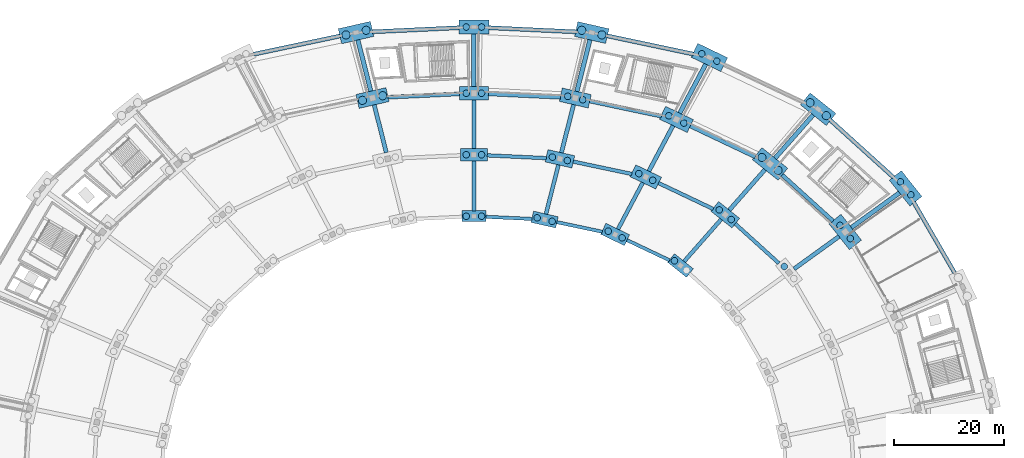
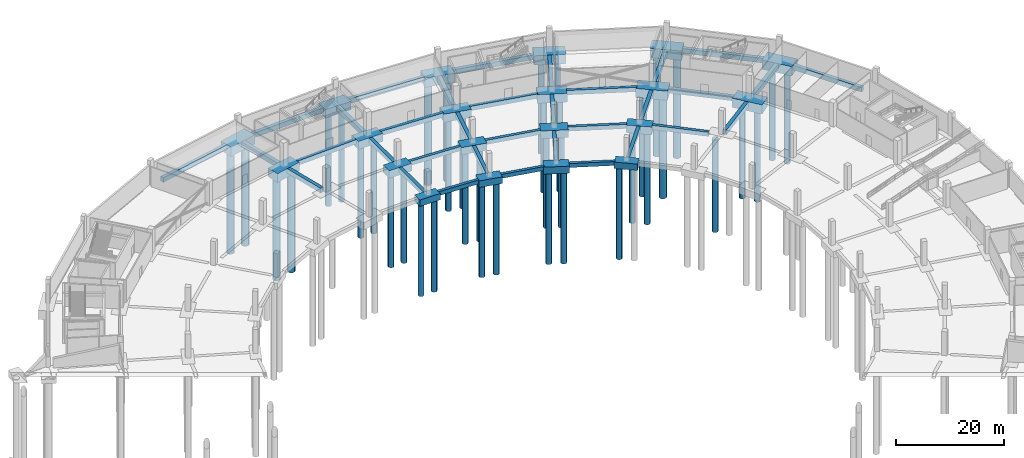
# One storey, part 6 of 49: 54 footings, 40 piles.
"""IFC4 building model written with IfcOpenShell, lengths in metres."""

import ifcopenshell
import ifcopenshell.guid

model = None  # the IFC model being written
_history = None  # IfcOwnerHistory: only IFC2X3 demands one
_inside = {}  # id of a spatial element -> (the spatial element, [elements in it])
_under = {}  # id of a project, library or spatial element -> (it, [spatial elements below it])
_declared = {}  # id of a project -> (the project, [libraries it declares])
_typed = {}  # id of a type object -> (the type object, [elements of that type])
_made_of = {}  # id of a material, layer set ... -> (it, [elements and type objects made of it])


def new_model(schema):
    """Start an empty IFC model of exactly this schema.

    Asked for "IFC4X3", IfcOpenShell would pick the latest addendum, in which some entities
    have other attributes; the version numbers below select the first issue.
    IFC2X3 requires an IfcOwnerHistory on every rooted entity: one is made here for all.
    """
    global model, _history
    if schema == "IFC4X3":
        model = ifcopenshell.file(schema_version=(4, 3, 0, 0))
    else:
        model = ifcopenshell.file(schema=schema)
    _inside.clear()
    _under.clear()
    _declared.clear()
    _typed.clear()
    _made_of.clear()
    _history = None
    if model.schema == "IFC2X3":
        org = make("IfcOrganization", Name="unknown")
        user = make(
            "IfcPersonAndOrganization",
            ThePerson=make("IfcPerson", FamilyName="unknown"),
            TheOrganization=org,
        )
        app = make(
            "IfcApplication",
            ApplicationDeveloper=org,
            Version="unknown",
            ApplicationFullName="unknown",
            ApplicationIdentifier="unknown",
        )
        _history = make(
            "IfcOwnerHistory",
            OwningUser=user,
            OwningApplication=app,
            ChangeAction="ADDED",
            CreationDate=0,
        )
    return model


def make(cls, **values):
    """One entity of the class cls with the attributes given. An attribute that is None is left unset."""
    return model.create_entity(
        cls, **{name: value for name, value in values.items() if value is not None}
    )


def rooted(cls, **values):
    """An entity with a GlobalId (a new one), such as an element, a storey or a relation."""
    return make(cls, GlobalId=ifcopenshell.guid.new(), OwnerHistory=_history, **values)


def si_unit(unit_type, name, prefix=None):
    """IfcSIUnit, for example si_unit("LENGTHUNIT", "METRE", prefix="MILLI")."""
    return make("IfcSIUnit", UnitType=unit_type, Prefix=prefix, Name=name)


def assignment(units):
    """IfcUnitAssignment: the units of a project."""
    return None if units is None else make("IfcUnitAssignment", Units=units)


def point(xyz):
    """IfcCartesianPoint."""
    return None if xyz is None else make("IfcCartesianPoint", Coordinates=xyz)


def direction(xyz):
    """IfcDirection."""
    return None if xyz is None else make("IfcDirection", DirectionRatios=xyz)


def frame(location, z_axis=None, x_axis=None):
    """IfcAxis2Placement3D, a coordinate frame: its origin and axes. An axis left out is left unset."""
    return make(
        "IfcAxis2Placement3D",
        Location=point(location),
        Axis=direction(z_axis),
        RefDirection=direction(x_axis),
    )


def frame_2d(location, x_axis=None):
    """IfcAxis2Placement2D, a coordinate frame in the plane: its origin and x axis."""
    return make(
        "IfcAxis2Placement2D", Location=point(location), RefDirection=direction(x_axis)
    )


def origin():
    """The frame at (0, 0, 0) with its axes left unset."""
    return frame((0.0, 0.0, 0.0))


def origin_2d():
    """The frame at (0, 0) in the plane with its x axis left unset."""
    return frame_2d((0.0, 0.0))


def place(relative_to, where):
    """IfcLocalPlacement: puts the frame where relative to a parent placement (None: the world)."""
    return make(
        "IfcLocalPlacement", PlacementRelTo=relative_to, RelativePlacement=where
    )


def context(
    kind, dimensions, precision=None, world=None, true_north=None, identifier=None
):
    """IfcGeometricRepresentationContext, for example the 3D "Model" context."""
    return make(
        "IfcGeometricRepresentationContext",
        ContextIdentifier=identifier,
        ContextType=kind,
        CoordinateSpaceDimension=dimensions,
        Precision=precision,
        WorldCoordinateSystem=world,
        TrueNorth=true_north,
    )


def subcontext(parent, identifier, kind, view, scale=None):
    """IfcGeometricRepresentationSubContext, for example "Body" below "Model"."""
    return make(
        "IfcGeometricRepresentationSubContext",
        ContextIdentifier=identifier,
        ContextType=kind,
        ParentContext=parent,
        TargetScale=scale,
        TargetView=view,
    )


def project(units=None, contexts=None):
    """IfcProject with its units and contexts."""
    return rooted(
        "IfcProject",
        Name="project",
        RepresentationContexts=contexts,
        UnitsInContext=assignment(units),
    )


def spatial(cls, under=None, at=None, **own):
    """A site, building, storey or space (cls), placed at a placement, below another one or the project."""
    s = rooted(cls, ObjectPlacement=at, **own)
    if under is not None:
        _under.setdefault(under.id(), (under, []))[1].append(s)
    return s


def profile(cls, at=None, kind="AREA", **sizes):
    """A parametric profile (cls). Its sizes go by their IFC names, for example OverallWidth=200.0."""
    return make(cls, ProfileType=kind, Position=at, **sizes)


def rectangle(**sizes):
    """IfcRectangleProfileDef."""
    return profile("IfcRectangleProfileDef", **sizes)


def circle(**sizes):
    """IfcCircleProfileDef."""
    return profile("IfcCircleProfileDef", **sizes)


def extrude(swept, where, along, depth):
    """IfcExtrudedAreaSolid: the profile swept, set in the frame where, extruded along a direction by depth."""
    return make(
        "IfcExtrudedAreaSolid",
        SweptArea=swept,
        Position=where,
        ExtrudedDirection=direction(along),
        Depth=depth,
    )


def shape(context_of_items, identifier, shape_type, items):
    """IfcShapeRepresentation: the items that make up one representation, for example the "Body"."""
    return make(
        "IfcShapeRepresentation",
        ContextOfItems=context_of_items,
        RepresentationIdentifier=identifier,
        RepresentationType=shape_type,
        Items=items,
    )


def material(Name=None, Category=None):
    """IfcMaterial."""
    return make("IfcMaterial", Name=Name, Category=Category)


def material_profile(
    of_material, cross_section, Name=None, Category=None, Priority=None
):
    """IfcMaterialProfile: a cross section and its material."""
    return make(
        "IfcMaterialProfile",
        Name=Name,
        Material=of_material,
        Profile=cross_section,
        Priority=Priority,
        Category=Category,
    )


def profile_set(profiles, Name=None, composite=None):
    """IfcMaterialProfileSet."""
    return make(
        "IfcMaterialProfileSet",
        Name=Name,
        MaterialProfiles=profiles,
        CompositeProfile=composite,
    )


def made_of(thing, what):
    """Note that an element or type object is made of a material, layer set ...; save() writes the relation."""
    if what is not None:
        _made_of.setdefault(what.id(), (what, []))[1].append(thing)
    return thing


def type_object(cls, material=None, **own):
    """A type object (cls), such as IfcWallType, which elements share."""
    return made_of(rooted(cls, **own), material)


def element(
    cls,
    number,
    at=None,
    inside=None,
    cuts=None,
    type_object=None,
    material=None,
    context=None,
    identifier="Body",
    shape_type=None,
    held_by="IfcProductDefinitionShape",
    body=None,
    shapes=None,
    **own,
):
    """One element of the class cls, such as IfcWall. Its Tag is "e" and its number.

    at: its placement. inside: the storey or other place that contains it. cuts: it is an
    opening in that element (IfcRelVoidsElement). A single representation is given by context,
    identifier, shape_type and body (its items); several are given by shapes. held_by: the class
    of the entity that holds the representations. save() writes the other relations.
    """
    e = rooted(cls, Tag="e%d" % number, ObjectPlacement=at, **own)
    if body is not None:
        shapes = [shape(context, identifier, shape_type, body)]
    if shapes is not None:
        e.Representation = make(held_by, Representations=shapes)
    if inside is not None:
        _inside.setdefault(inside.id(), (inside, []))[1].append(e)
    if cuts is not None:
        rooted(
            "IfcRelVoidsElement", RelatingBuildingElement=cuts, RelatedOpeningElement=e
        )
    if type_object is not None:
        _typed.setdefault(type_object.id(), (type_object, []))[1].append(e)
    return made_of(e, material)


def aggregate(whole, parts):
    """IfcRelAggregates: a whole, such as a stair, and the parts it consists of."""
    return rooted("IfcRelAggregates", RelatingObject=whole, RelatedObjects=parts)


def save(model, path):
    """Write the relations noted so far, then the file.

    IfcRelAggregates (storeys below a building ...), IfcRelContainedInSpatialStructure (elements
    in a storey), IfcRelDefinesByType, IfcRelAssociatesMaterial and IfcRelDeclares: one each for
    every whole, place, type object, material and project.
    """
    for whole, parts in _under.values():
        aggregate(whole, parts)
    for where, things in _inside.values():
        rooted(
            "IfcRelContainedInSpatialStructure",
            RelatedElements=things,
            RelatingStructure=where,
        )
    for kind, things in _typed.values():
        rooted("IfcRelDefinesByType", RelatedObjects=things, RelatingType=kind)
    for what, things in _made_of.values():
        rooted("IfcRelAssociatesMaterial", RelatedObjects=things, RelatingMaterial=what)
    for by, libraries in _declared.values():
        rooted("IfcRelDeclares", RelatingContext=by, RelatedDefinitions=libraries)
    model.write(path)


model = new_model("IFC4")

# Units and contexts
model_context = context("Model", 3, precision=1e-05, world=origin(), true_north=direction((0.0, 1.0)))
body_context = subcontext(model_context, "Body", "Model", "MODEL_VIEW")
ifc_project = project(units=[si_unit("LENGTHUNIT", "METRE"), si_unit("AREAUNIT", "SQUARE_METRE"), si_unit("VOLUMEUNIT", "CUBIC_METRE"), si_unit("PLANEANGLEUNIT", "RADIAN"), si_unit("MASSUNIT", "GRAM", prefix="KILO")], contexts=[model_context])

# Site, building, storey
site_placement = place(None, origin())
site = spatial("IfcSite", under=ifc_project, at=site_placement, CompositionType="ELEMENT")
building_placement = place(site_placement, origin())
building = spatial("IfcBuilding", under=site, at=building_placement, Name="Kazemori Nagisa Stadium", CompositionType="ELEMENT")
storey_placement = place(building_placement, frame((0.0, 0.0, -5.43994140625)))
storey = spatial("IfcBuildingStorey", under=building, at=storey_placement, Name="B1", CompositionType="ELEMENT", Elevation=-5.43994140625)

# Footings
ifc_material_1 = material(Name="Concrete C40/50 (Fc42)", Category="concrete")
ifc_material_profile_1 = material_profile(ifc_material_1, rectangle(XDim=0.60009765625, YDim=0.89990234375, at=origin_2d()), Name="RC-FB-600x900")
ifc_profile_set_1 = profile_set([ifc_material_profile_1], Name="Concrete C40/50 (Fc42)")
footing_type_1 = type_object("IfcFootingType", Name="FootingBeam_FB-01", PredefinedType="FOOTING_BEAM", material=ifc_profile_set_1)
footing_1_placement = place(storey_placement, frame((158.58984375, 145.571044921875, -0.449951171875), z_axis=(-0.903218555749, 0.429180894905, 0.0), x_axis=(-0.429180894905, -0.903218555749, 0.0)))
element("IfcFooting", 1, at=footing_1_placement, inside=storey, type_object=footing_type_1, Name="Footing tie beam FB-01 R0-05", PredefinedType="FOOTING_BEAM", context=body_context, shape_type="SweptSolid", body=[
    extrude(rectangle(XDim=0.60009765625, YDim=0.89990234375, at=origin_2d()), origin(), (0.0, 0.0, 1.0), 8.588623046875),
])
footing_2_placement = place(storey_placement, frame((146.3544921875, 150.771240234375, -0.449951171875), z_axis=(-0.978345765545, 0.206977204157, 0.0), x_axis=(-0.206977204157, -0.978345765545, 0.0)))
element("IfcFooting", 2, at=footing_2_placement, inside=storey, type_object=footing_type_1, Name="Footing tie beam FB-01 R0-06", PredefinedType="FOOTING_BEAM", context=body_context, shape_type="SweptSolid", body=[
    extrude(rectangle(XDim=0.60009765625, YDim=0.89990234375, at=origin_2d()), origin(), (0.0, 0.0, 1.0), 8.450439453125),
])
footing_3_placement = place(storey_placement, frame((133.5791015625, 153.099853515625, -0.449951171875), z_axis=(-0.998884235057, 0.047225892844, 0.0), x_axis=(-0.047225892844, -0.998884235057, 0.0)))
element("IfcFooting", 3, at=footing_3_placement, inside=storey, type_object=footing_type_1, Name="Footing tie beam FB-01 R0-07", PredefinedType="FOOTING_BEAM", context=body_context, shape_type="SweptSolid", body=[
    extrude(rectangle(XDim=0.60009765625, YDim=0.89990234375, at=origin_2d()), origin(), (0.0, 0.0, 1.0), 8.410888671875),
])
ifc_material_profile_2 = material_profile(ifc_material_1, rectangle(XDim=0.64990234375, YDim=0.949951171875, at=origin_2d()), Name="RC-FB-650x950")
ifc_profile_set_2 = profile_set([ifc_material_profile_2], Name="Concrete C40/50 (Fc42)")
footing_type_2 = type_object("IfcFootingType", Name="FootingBeam_FB-02", PredefinedType="FOOTING_BEAM", material=ifc_profile_set_2)
footing_4_placement = place(storey_placement, frame((178.463134765625, 145.03173828125, -0.47509765625), z_axis=(-0.741353255581, 0.671115005374, 0.0), x_axis=(-0.671115005374, -0.741353255581, 0.0)))
element("IfcFooting", 4, at=footing_4_placement, inside=storey, type_object=footing_type_2, Name="Footing tie beam FB-02 R1-04", PredefinedType="FOOTING_BEAM", context=body_context, shape_type="SweptSolid", body=[
    extrude(rectangle(XDim=0.64990234375, YDim=0.949951171875, at=origin_2d()), origin(), (0.0, 0.0, 1.0), 10.743896484375),
])
footing_5_placement = place(storey_placement, frame((166.501708984375, 154.916015625, -0.47509765625), z_axis=(-0.903219583699, 0.429178731559, 0.0), x_axis=(-0.429178731559, -0.903219583699, 0.0)))
element("IfcFooting", 5, at=footing_5_placement, inside=storey, type_object=footing_type_2, Name="Footing tie beam FB-02 R1-05", PredefinedType="FOOTING_BEAM", context=body_context, shape_type="SweptSolid", body=[
    extrude(rectangle(XDim=0.64990234375, YDim=0.949951171875, at=origin_2d()), origin(), (0.0, 0.0, 1.0), 10.987548828125),
])
footing_6_placement = place(storey_placement, frame((151.723388671875, 161.27294921875, -0.47509765625), z_axis=(-0.978344989236, 0.206980873599, 0.0), x_axis=(-0.206980873599, -0.978344989236, 0.0)))
element("IfcFooting", 6, at=footing_6_placement, inside=storey, type_object=footing_type_2, Name="Footing tie beam FB-02 R1-06", PredefinedType="FOOTING_BEAM", context=body_context, shape_type="SweptSolid", body=[
    extrude(rectangle(XDim=0.64990234375, YDim=0.949951171875, at=origin_2d()), origin(), (0.0, 0.0, 1.0), 10.890625),
])
footing_7_placement = place(storey_placement, frame((136.1650390625, 164.157470703125, -0.47509765625), z_axis=(-0.99888360217, 0.047239277261, 0.0), x_axis=(-0.047239277261, -0.99888360217, 0.0)))
element("IfcFooting", 7, at=footing_7_placement, inside=storey, type_object=footing_type_2, Name="Footing tie beam FB-02 R1-07", PredefinedType="FOOTING_BEAM", context=body_context, shape_type="SweptSolid", body=[
    extrude(rectangle(XDim=0.64990234375, YDim=0.949951171875, at=origin_2d()), origin(), (0.0, 0.0, 1.0), 10.749755859375),
])
ifc_material_profile_3 = material_profile(ifc_material_1, rectangle(XDim=0.699951171875, YDim=1.0, at=origin_2d()), Name="RC-FB-700x1000")
ifc_profile_set_3 = profile_set([ifc_material_profile_3], Name="Concrete C40/50 (Fc42)")
footing_type_3 = type_object("IfcFootingType", Name="FootingBeam_FB-03", PredefinedType="FOOTING_BEAM", material=ifc_profile_set_3)
footing_8_placement = place(storey_placement, frame((188.296875, 152.734130859375, -0.5), z_axis=(-0.741353641267, 0.671114579323, 0.0), x_axis=(-0.671114579323, -0.741353641267, 0.0)))
element("IfcFooting", 8, at=footing_8_placement, inside=storey, type_object=footing_type_3, Name="Footing tie beam FB-03 R2-04", PredefinedType="FOOTING_BEAM", context=body_context, shape_type="SweptSolid", body=[
    extrude(rectangle(XDim=0.699951171875, YDim=1.0, at=origin_2d()), origin(), (0.0, 0.0, 1.0), 12.481689453125),
])
footing_9_placement = place(storey_placement, frame((174.142578125, 164.3896484375, -0.5), z_axis=(-0.903213685764, 0.429191143722, 0.0), x_axis=(-0.429191143722, -0.903213685764, 0.0)))
element("IfcFooting", 9, at=footing_9_placement, inside=storey, type_object=footing_type_3, Name="Footing tie beam FB-03 R2-05", PredefinedType="FOOTING_BEAM", context=body_context, shape_type="SweptSolid", body=[
    extrude(rectangle(XDim=0.699951171875, YDim=1.0, at=origin_2d()), origin(), (0.0, 0.0, 1.0), 13.086181640625),
])
footing_10_placement = place(storey_placement, frame((157.09228515625, 171.774658203125, -0.5), z_axis=(-0.978345281718, 0.206979491108, 0.0), x_axis=(-0.206979491108, -0.978345281718, 0.0)))
element("IfcFooting", 10, at=footing_10_placement, inside=storey, type_object=footing_type_3, Name="Footing tie beam FB-03 R2-06", PredefinedType="FOOTING_BEAM", context=body_context, shape_type="SweptSolid", body=[
    extrude(rectangle(XDim=0.699951171875, YDim=1.0, at=origin_2d()), origin(), (0.0, 0.0, 1.0), 13.3310546875),
])
footing_11_placement = place(storey_placement, frame((138.750732421875, 175.21533203125, -0.5), z_axis=(-0.998884641355, 0.047217298366, 0.0), x_axis=(-0.047217298366, -0.998884641355, 0.0)))
element("IfcFooting", 11, at=footing_11_placement, inside=storey, type_object=footing_type_3, Name="Footing tie beam FB-03 R2-07", PredefinedType="FOOTING_BEAM", context=body_context, shape_type="SweptSolid", body=[
    extrude(rectangle(XDim=0.699951171875, YDim=1.0, at=origin_2d()), origin(), (0.0, 0.0, 1.0), 13.138427734375),
])
footing_12_placement = place(storey_placement, frame((120.373046875, 175.835693359375, -0.5), z_axis=(-0.998884346862, -0.047223527964, 0.0), x_axis=(0.047223527964, -0.998884346862, 0.0)))
element("IfcFooting", 12, at=footing_12_placement, inside=storey, type_object=footing_type_3, Name="Footing tie beam FB-03 R2-08", PredefinedType="FOOTING_BEAM", context=body_context, shape_type="SweptSolid", body=[
    extrude(rectangle(XDim=0.699951171875, YDim=1.0, at=origin_2d()), origin(), (0.0, 0.0, 1.0), 13.03857421875),
])
footing_13_placement = place(storey_placement, frame((161.20654296875, 145.370849609375, -0.5), z_axis=(0.66102446192, 0.750364351994, 0.0), x_axis=(-0.750364351994, 0.66102446192, 0.0)))
element("IfcFooting", 13, at=footing_13_placement, inside=storey, type_object=footing_type_3, Name="Footing tie beam FB-03 R0-R1-05", PredefinedType="FOOTING_BEAM", context=body_context, shape_type="SweptSolid", body=[
    extrude(rectangle(XDim=0.699951171875, YDim=1.0, at=origin_2d()), origin(), (0.0, 0.0, 1.0), 10.225830078125),
])
footing_14_placement = place(storey_placement, frame((149.18994140625, 151.23193359375, -0.5), z_axis=(0.469670822848, 0.88284161556, 0.0), x_axis=(-0.88284161556, 0.469670822848, 0.0)))
element("IfcFooting", 14, at=footing_14_placement, inside=storey, type_object=footing_type_3, Name="Footing tie beam FB-03 R0-R1-06", PredefinedType="FOOTING_BEAM", context=body_context, shape_type="SweptSolid", body=[
    extrude(rectangle(XDim=0.699951171875, YDim=1.0, at=origin_2d()), origin(), (0.0, 0.0, 1.0), 9.58837890625),
])
footing_15_placement = place(storey_placement, frame((136.1083984375, 153.99072265625, -0.5), z_axis=(0.244482297998, 0.969653755712, 0.0), x_axis=(-0.969653755712, 0.244482297998, 0.0)))
element("IfcFooting", 15, at=footing_15_placement, inside=storey, type_object=footing_type_3, Name="Footing tie beam FB-03 R0-R1-07", PredefinedType="FOOTING_BEAM", context=body_context, shape_type="SweptSolid", body=[
    extrude(rectangle(XDim=0.699951171875, YDim=1.0, at=origin_2d()), origin(), (0.0, 0.0, 1.0), 9.234130859375),
])
footing_16_placement = place(storey_placement, frame((123.0, 154.580078125, -0.5), z_axis=(0.0, 1.0, 0.0), x_axis=(-1.0, 0.0, 0.0)))
element("IfcFooting", 16, at=footing_16_placement, inside=storey, type_object=footing_type_3, Name="Footing tie beam FB-03 R0-R1-08", PredefinedType="FOOTING_BEAM", context=body_context, shape_type="SweptSolid", body=[
    extrude(rectangle(XDim=0.699951171875, YDim=1.0, at=origin_2d()), origin(), (0.0, 0.0, 1.0), 9.094970703125),
])
ifc_material_profile_4 = material_profile(ifc_material_1, rectangle(XDim=0.75, YDim=1.050048828125, at=origin_2d()), Name="RC-FB-750x1050")
ifc_profile_set_4 = profile_set([ifc_material_profile_4], Name="Concrete C40/50 (Fc42)")
footing_type_4 = type_object("IfcFootingType", Name="FootingBeam_FB-04", PredefinedType="FOOTING_BEAM", material=ifc_profile_set_4)
footing_17_placement = place(storey_placement, frame((210.39013671875, 143.32763671875, -0.525146484375), z_axis=(-0.501614806727, 0.865091085188, 0.0), x_axis=(-0.865091085188, -0.501614806727, 0.0)))
element("IfcFooting", 17, at=footing_17_placement, inside=storey, type_object=footing_type_4, Name="Footing tie beam FB-04 R3-03", PredefinedType="FOOTING_BEAM", context=body_context, shape_type="SweptSolid", body=[
    extrude(rectangle(XDim=0.75, YDim=1.050048828125, at=origin_2d()), origin(), (0.0, 0.0, 1.0), 14.752197265625),
])
footing_18_placement = place(storey_placement, frame((199.2861328125, 160.66748046875, -0.525146484375), z_axis=(-0.741348232984, 0.671120553591, 0.0), x_axis=(-0.671120553591, -0.741348232984, 0.0)))
element("IfcFooting", 18, at=footing_18_placement, inside=storey, type_object=footing_type_4, Name="Footing tie beam FB-04 R3-04", PredefinedType="FOOTING_BEAM", context=body_context, shape_type="SweptSolid", body=[
    extrude(rectangle(XDim=0.75, YDim=1.050048828125, at=origin_2d()), origin(), (0.0, 0.0, 1.0), 15.48388671875),
])
footing_19_placement = place(storey_placement, frame((162.88916015625, 183.0810546875, -0.525146484375), z_axis=(-0.978345838586, 0.206976858902, 0.0), x_axis=(-0.206976858902, -0.978345838586, 0.0)))
element("IfcFooting", 19, at=footing_19_placement, inside=storey, type_object=footing_type_4, Name="Footing tie beam FB-04 R3-06", PredefinedType="FOOTING_BEAM", context=body_context, shape_type="SweptSolid", body=[
    extrude(rectangle(XDim=0.75, YDim=1.050048828125, at=origin_2d()), origin(), (0.0, 0.0, 1.0), 15.989990234375),
])
footing_20_placement = place(storey_placement, frame((141.55078125, 187.122802734375, -0.525146484375), z_axis=(-0.998883739236, 0.04723637888, 0.0), x_axis=(-0.04723637888, -0.998883739236, 0.0)))
element("IfcFooting", 20, at=footing_20_placement, inside=storey, type_object=footing_type_4, Name="Footing tie beam FB-04 R3-07", PredefinedType="FOOTING_BEAM", context=body_context, shape_type="SweptSolid", body=[
    extrude(rectangle(XDim=0.75, YDim=1.050048828125, at=origin_2d()), origin(), (0.0, 0.0, 1.0), 15.84130859375),
])
footing_21_placement = place(storey_placement, frame((120.27294921875, 187.87109375, -0.525146484375), z_axis=(-0.998884221238, -0.047226185136, 0.0), x_axis=(0.047226185136, -0.998884221238, 0.0)))
element("IfcFooting", 21, at=footing_21_placement, inside=storey, type_object=footing_type_4, Name="Footing tie beam FB-04 R3-08", PredefinedType="FOOTING_BEAM", context=body_context, shape_type="SweptSolid", body=[
    extrude(rectangle(XDim=0.75, YDim=1.050048828125, at=origin_2d()), origin(), (0.0, 0.0, 1.0), 15.741455078125),
])
footing_22_placement = place(storey_placement, frame((98.65673828125, 186.3701171875, -0.525146484375), z_axis=(-0.978342746736, -0.206991473033, 0.0), x_axis=(0.206991473033, -0.978342746736, 0.0)))
element("IfcFooting", 22, at=footing_22_placement, inside=storey, type_object=footing_type_4, Name="Footing tie beam FB-04 R3-09", PredefinedType="FOOTING_BEAM", context=body_context, shape_type="SweptSolid", body=[
    extrude(rectangle(XDim=0.75, YDim=1.050048828125, at=origin_2d()), origin(), (0.0, 0.0, 1.0), 15.989990234375),
])
footing_23_placement = place(storey_placement, frame((181.2177734375, 144.02880859375, -0.525146484375), z_axis=(0.810794220664, 0.585331300836, 0.0), x_axis=(-0.585331300836, 0.810794220664, 0.0)))
element("IfcFooting", 23, at=footing_23_placement, inside=storey, type_object=footing_type_4, Name="Footing tie beam FB-04 R1-R2-04", PredefinedType="FOOTING_BEAM", context=body_context, shape_type="SweptSolid", body=[
    extrude(rectangle(XDim=0.75, YDim=1.050048828125, at=origin_2d()), origin(), (0.0, 0.0, 1.0), 10.075927734375),
])
footing_24_placement = place(storey_placement, frame((169.427001953125, 154.7021484375, -0.525146484375), z_axis=(0.661019884248, 0.750368384615, 0.0), x_axis=(-0.750368384615, 0.661019884248, 0.0)))
element("IfcFooting", 24, at=footing_24_placement, inside=storey, type_object=footing_type_4, Name="Footing tie beam FB-04 R1-R2-05", PredefinedType="FOOTING_BEAM", context=body_context, shape_type="SweptSolid", body=[
    extrude(rectangle(XDim=0.75, YDim=1.050048828125, at=origin_2d()), origin(), (0.0, 0.0, 1.0), 9.825927734375),
])
footing_25_placement = place(storey_placement, frame((154.8017578125, 161.78076171875, -0.525146484375), z_axis=(0.469653943971, 0.882850594898, 0.0), x_axis=(-0.882850594898, 0.469653943971, 0.0)))
element("IfcFooting", 25, at=footing_25_placement, inside=storey, type_object=footing_type_4, Name="Footing tie beam FB-04 R1-R2-06", PredefinedType="FOOTING_BEAM", context=body_context, shape_type="SweptSolid", body=[
    extrude(rectangle(XDim=0.75, YDim=1.050048828125, at=origin_2d()), origin(), (0.0, 0.0, 1.0), 9.38818359375),
])
footing_26_placement = place(storey_placement, frame((138.91845703125, 165.135986328125, -0.525146484375), z_axis=(0.244487229424, 0.96965251232, 0.0), x_axis=(-0.96965251232, 0.244487229424, 0.0)))
element("IfcFooting", 26, at=footing_26_placement, inside=storey, type_object=footing_type_4, Name="Footing tie beam FB-04 R1-R2-07", PredefinedType="FOOTING_BEAM", context=body_context, shape_type="SweptSolid", body=[
    extrude(rectangle(XDim=0.75, YDim=1.050048828125, at=origin_2d()), origin(), (0.0, 0.0, 1.0), 9.0341796875),
])
footing_27_placement = place(storey_placement, frame((123.0, 165.885009765625, -0.525146484375), z_axis=(0.0, 1.0, 0.0), x_axis=(-1.0, 0.0, 0.0)))
element("IfcFooting", 27, at=footing_27_placement, inside=storey, type_object=footing_type_4, Name="Footing tie beam FB-04 R1-R2-08", PredefinedType="FOOTING_BEAM", context=body_context, shape_type="SweptSolid", body=[
    extrude(rectangle(XDim=0.75, YDim=1.050048828125, at=origin_2d()), origin(), (0.0, 0.0, 1.0), 8.869873046875),
])
footing_28_placement = place(storey_placement, frame((107.0693359375, 165.1845703125, -0.525146484375), z_axis=(-0.244496256338, 0.969650236238, 0.0), x_axis=(-0.969650236238, -0.244496256338, 0.0)))
element("IfcFooting", 28, at=footing_28_placement, inside=storey, type_object=footing_type_4, Name="Footing tie beam FB-04 R1-R2-09", PredefinedType="FOOTING_BEAM", context=body_context, shape_type="SweptSolid", body=[
    extrude(rectangle(XDim=0.75, YDim=1.050048828125, at=origin_2d()), origin(), (0.0, 0.0, 1.0), 8.93408203125),
])
ifc_material_profile_5 = material_profile(ifc_material_1, rectangle(XDim=0.800048828125, YDim=1.10009765625, at=origin_2d()), Name="RC-FB-800x1100")
ifc_profile_set_5 = profile_set([ifc_material_profile_5], Name="Concrete C40/50 (Fc42)")
footing_type_5 = type_object("IfcFootingType", Name="FootingBeam_FB-05", PredefinedType="FOOTING_BEAM", material=ifc_profile_set_5)
footing_29_placement = place(storey_placement, frame((191.625, 151.5419921875, -0.550048828125), z_axis=(0.810794921926, 0.585330329454, 0.0), x_axis=(-0.585330329454, 0.810794921926, 0.0)))
element("IfcFooting", 29, at=footing_29_placement, inside=storey, type_object=footing_type_5, Name="Footing tie beam FB-05 R2-R3-04", PredefinedType="FOOTING_BEAM", context=body_context, shape_type="SweptSolid", body=[
    extrude(rectangle(XDim=0.800048828125, YDim=1.10009765625, at=origin_2d()), origin(), (0.0, 0.0, 1.0), 10.793701171875),
])
footing_30_placement = place(storey_placement, frame((177.74658203125, 164.146240234375, -0.550048828125), z_axis=(0.661018384003, 0.750369706218, 0.0), x_axis=(-0.750369706218, 0.661018384003, 0.0)))
element("IfcFooting", 30, at=footing_30_placement, inside=storey, type_object=footing_type_5, Name="Footing tie beam FB-05 R2-R3-05", PredefinedType="FOOTING_BEAM", context=body_context, shape_type="SweptSolid", body=[
    extrude(rectangle(XDim=0.800048828125, YDim=1.10009765625, at=origin_2d()), origin(), (0.0, 0.0, 1.0), 10.497802734375),
])
footing_31_placement = place(storey_placement, frame((160.413330078125, 172.329345703125, -0.550048828125), z_axis=(0.469639432071, 0.882858314705, 0.0), x_axis=(-0.882858314705, 0.469639432071, 0.0)))
element("IfcFooting", 31, at=footing_31_placement, inside=storey, type_object=footing_type_5, Name="Footing tie beam FB-05 R2-R3-06", PredefinedType="FOOTING_BEAM", context=body_context, shape_type="SweptSolid", body=[
    extrude(rectangle(XDim=0.800048828125, YDim=1.10009765625, at=origin_2d()), origin(), (0.0, 0.0, 1.0), 10.099609375),
])
footing_32_placement = place(storey_placement, frame((141.728515625, 176.28125, -0.550048828125), z_axis=(0.244480507321, 0.9696542072, 0.0), x_axis=(-0.9696542072, 0.244480507321, 0.0)))
element("IfcFooting", 32, at=footing_32_placement, inside=storey, type_object=footing_type_5, Name="Footing tie beam FB-05 R2-R3-07", PredefinedType="FOOTING_BEAM", context=body_context, shape_type="SweptSolid", body=[
    extrude(rectangle(XDim=0.800048828125, YDim=1.10009765625, at=origin_2d()), origin(), (0.0, 0.0, 1.0), 9.685546875),
])
footing_33_placement = place(storey_placement, frame((123.0, 177.1650390625, -0.550048828125), z_axis=(0.0, 1.0, 0.0), x_axis=(-1.0, 0.0, 0.0)))
element("IfcFooting", 33, at=footing_33_placement, inside=storey, type_object=footing_type_5, Name="Footing tie beam FB-05 R2-R3-08", PredefinedType="FOOTING_BEAM", context=body_context, shape_type="SweptSolid", body=[
    extrude(rectangle(XDim=0.800048828125, YDim=1.10009765625, at=origin_2d()), origin(), (0.0, 0.0, 1.0), 9.580078125),
])
footing_34_placement = place(storey_placement, frame((104.25927734375, 176.329833984375, -0.550048828125), z_axis=(-0.244483737293, 0.969653392816, 0.0), x_axis=(-0.969653392816, -0.244483737293, 0.0)))
element("IfcFooting", 34, at=footing_34_placement, inside=storey, type_object=footing_type_5, Name="Footing tie beam FB-05 R2-R3-09", PredefinedType="FOOTING_BEAM", context=body_context, shape_type="SweptSolid", body=[
    extrude(rectangle(XDim=0.800048828125, YDim=1.10009765625, at=origin_2d()), origin(), (0.0, 0.0, 1.0), 9.610595703125),
])
footing_type_6 = type_object("IfcFootingType", Name="PileCap_PC-01", PredefinedType="PILE_CAP", material=ifc_material_1)
footing_35_placement = place(storey_placement, frame((135.856689453125, 152.9921875, -1.5), z_axis=(0.0, 0.0, 1.0), x_axis=(-0.974927912182, 0.222520933954, 0.0)))
element("IfcFooting", 35, at=footing_35_placement, inside=storey, type_object=footing_type_6, Name="Pile cap PC-01 R0-07", PredefinedType="PILE_CAP", context=body_context, shape_type="SweptSolid", body=[
    extrude(rectangle(XDim=4.60009765625, YDim=2.10009765625, at=origin_2d()), origin(), (0.0, 0.0, 1.0), 1.5),
])
footing_type_7 = type_object("IfcFootingType", Name="PileCap_PC-02", PredefinedType="PILE_CAP", material=ifc_material_1)
footing_36_placement = place(storey_placement, frame((148.682861328125, 150.278564453125, -1.60009765625), z_axis=(0.0, 0.0, 1.0), x_axis=(-0.900968867905, 0.433883739113, 0.0)))
element("IfcFooting", 36, at=footing_36_placement, inside=storey, type_object=footing_type_7, Name="Pile cap PC-02 R0-06", PredefinedType="PILE_CAP", context=body_context, shape_type="SweptSolid", body=[
    extrude(rectangle(XDim=4.800048828125, YDim=2.199951171875, at=origin_2d()), origin(), (0.0, 0.0, 1.0), 1.60009765625),
])
footing_type_8 = type_object("IfcFootingType", Name="PileCap_PC-03", PredefinedType="PILE_CAP", material=ifc_material_1)
footing_37_placement = place(storey_placement, frame((138.64208984375, 164.040283203125, -1.64990234375), z_axis=(0.0, 0.0, 1.0), x_axis=(-0.974927912182, 0.222520933954, 0.0)))
element("IfcFooting", 37, at=footing_37_placement, inside=storey, type_object=footing_type_8, Name="Pile cap PC-03 R1-07", PredefinedType="PILE_CAP", context=body_context, shape_type="SweptSolid", body=[
    extrude(rectangle(XDim=5.0, YDim=2.300048828125, at=origin_2d()), origin(), (0.0, 0.0, 1.0), 1.64990234375),
])
footing_type_9 = type_object("IfcFootingType", Name="PileCap_PC-04", PredefinedType="PILE_CAP", material=ifc_material_1)
footing_38_placement = place(storey_placement, frame((154.24755859375, 160.739013671875, -1.75), z_axis=(0.0, 0.0, 1.0), x_axis=(-0.900968867905, 0.433883739113, 0.0)))
element("IfcFooting", 38, at=footing_38_placement, inside=storey, type_object=footing_type_9, Name="Pile cap PC-04 R1-06", PredefinedType="PILE_CAP", context=body_context, shape_type="SweptSolid", body=[
    extrude(rectangle(XDim=5.199951171875, YDim=2.39990234375, at=origin_2d()), origin(), (0.0, 0.0, 1.0), 1.75),
])
footing_type_10 = type_object("IfcFootingType", Name="PileCap_PC-05", PredefinedType="PILE_CAP", material=ifc_material_1)
footing_39_placement = place(storey_placement, frame((141.427734375, 175.088623046875, -1.85009765625), z_axis=(0.0, 0.0, 1.0), x_axis=(-0.974927912182, 0.222520933954, 0.0)))
element("IfcFooting", 39, at=footing_39_placement, inside=storey, type_object=footing_type_10, Name="Pile cap PC-05 R2-07", PredefinedType="PILE_CAP", context=body_context, shape_type="SweptSolid", body=[
    extrude(rectangle(XDim=5.39990234375, YDim=2.5, at=origin_2d()), origin(), (0.0, 0.0, 1.0), 1.85009765625),
])
footing_type_11 = type_object("IfcFootingType", Name="PileCap_PC-06", PredefinedType="PILE_CAP", material=ifc_material_1)
for number, where, z_axis, x_axis, name in (
    (40, (159.81201171875, 171.19921875, -1.9501953125), (0.0, 0.0, 1.0), (-0.900968867905, 0.433883739113, 0.0), "Pile cap PC-06 R2-06"),
    (41, (104.572265625, 175.088623046875, -1.9501953125), (0.0, 0.0, 1.0), (-0.974927912182, -0.222520933954, 0.0), "Pile cap PC-06 R2-09"),
):
    element("IfcFooting", number, at=place(storey_placement, frame(where, z_axis=z_axis, x_axis=x_axis)), inside=storey, type_object=footing_type_11, Name=name, PredefinedType="PILE_CAP", context=body_context, shape_type="SweptSolid", body=[
        extrude(rectangle(XDim=5.60009765625, YDim=2.60009765625, at=origin_2d()), origin(), (0.0, 0.0, 1.0), 1.949951171875),
    ])
footing_type_12 = type_object("IfcFootingType", Name="PileCap_PC-07", PredefinedType="PILE_CAP", material=ifc_material_1)
footing_40_placement = place(storey_placement, frame((144.427734375, 186.98681640625, -2.05029296875), z_axis=(0.0, 0.0, 1.0), x_axis=(-0.974927912182, 0.222520933954, 0.0)))
element("IfcFooting", 42, at=footing_40_placement, inside=storey, type_object=footing_type_12, Name="Pile cap PC-07 R3-07", PredefinedType="PILE_CAP", context=body_context, shape_type="SweptSolid", body=[
    extrude(rectangle(XDim=5.800048828125, YDim=2.75, at=origin_2d()), origin(), (0.0, 0.0, 1.0), 2.050048828125),
])
footing_type_13 = type_object("IfcFootingType", Name="PileCap_PC-08", PredefinedType="PILE_CAP", material=ifc_material_1)
for number, where, z_axis, x_axis, name in (
    (43, (160.558837890625, 144.635498046875, -1.4501953125), (0.0, 0.0, 1.0), (-0.781831482473, 0.623489801853, 0.0), "Pile cap PC-08 R0-05"),
    (44, (123.0, 153.60009765625, -1.4501953125), (0.0, 0.0, 1.0), (-1.0, 0.0, 0.0), "Pile cap PC-08 R0-08"),
):
    element("IfcFooting", number, at=place(storey_placement, frame(where, z_axis=z_axis, x_axis=x_axis)), inside=storey, type_object=footing_type_13, Name=name, PredefinedType="PILE_CAP", context=body_context, shape_type="SweptSolid", body=[
        extrude(rectangle(XDim=4.39990234375, YDim=2.0, at=origin_2d()), origin(), (0.0, 0.0, 1.0), 1.449951171875),
    ])
footing_type_14 = type_object("IfcFootingType", Name="PileCap_PC-09", PredefinedType="PILE_CAP", material=ifc_material_1)
for number, where, z_axis, x_axis, name in (
    (45, (168.696533203125, 153.873046875, -1.7001953125), (0.0, 0.0, 1.0), (-0.781831482473, 0.623489801853, 0.0), "Pile cap PC-09 R1-05"),
    (46, (123.0, 164.780029296875, -1.7001953125), (0.0, 0.0, 1.0), (-1.0, 0.0, 0.0), "Pile cap PC-09 R1-08"),
):
    element("IfcFooting", number, at=place(storey_placement, frame(where, z_axis=z_axis, x_axis=x_axis)), inside=storey, type_object=footing_type_14, Name=name, PredefinedType="PILE_CAP", context=body_context, shape_type="SweptSolid", body=[
        extrude(rectangle(XDim=4.89990234375, YDim=2.25, at=origin_2d()), origin(), (0.0, 0.0, 1.0), 1.699951171875),
    ])
footing_type_15 = type_object("IfcFootingType", Name="PileCap_PC-10", PredefinedType="PILE_CAP", material=ifc_material_1)
footing_41_placement = place(storey_placement, frame((123.0, 175.9599609375, -1.80029296875), z_axis=(0.0, 0.0, 1.0), x_axis=(-1.0, 0.0, 0.0)))
element("IfcFooting", 47, at=footing_41_placement, inside=storey, type_object=footing_type_15, Name="Pile cap PC-10 R2-08", PredefinedType="PILE_CAP", context=body_context, shape_type="SweptSolid", body=[
    extrude(rectangle(XDim=5.300048828125, YDim=2.449951171875, at=origin_2d()), origin(), (0.0, 0.0, 1.0), 1.800048828125),
])
footing_type_16 = type_object("IfcFootingType", Name="PileCap_PC-11", PredefinedType="PILE_CAP", material=ifc_material_1)
footing_42_placement = place(storey_placement, frame((123.0, 188.0, -1.89990234375), z_axis=(0.0, 0.0, 1.0), x_axis=(-1.0, 0.0, 0.0)))
element("IfcFooting", 48, at=footing_42_placement, inside=storey, type_object=footing_type_16, Name="Pile cap PC-11 R3-08", PredefinedType="PILE_CAP", context=body_context, shape_type="SweptSolid", body=[
    extrude(rectangle(XDim=5.5, YDim=2.550048828125, at=origin_2d()), origin(), (0.0, 0.0, 1.0), 1.89990234375),
])
footing_type_17 = type_object("IfcFootingType", Name="PileCap_PC-12", PredefinedType="PILE_CAP", material=ifc_material_1)
for number, where, z_axis, x_axis, name in (
    (49, (190.506103515625, 150.734130859375, -2.10009765625), (0.0, 0.0, 1.0), (-0.623489801853, 0.781831482473, 0.0), "Pile cap PC-12 R2-04"),
    (50, (176.834228515625, 163.11083984375, -2.10009765625), (0.0, 0.0, 1.0), (-0.781831482473, 0.623489801853, 0.0), "Pile cap PC-12 R2-05"),
    (51, (201.495361328125, 158.667724609375, -2.10009765625), (0.0, 0.0, 1.0), (-0.623489801853, 0.781831482473, 0.0), "Pile cap PC-12 R3-04"),
    (52, (185.597900390625, 173.05908203125, -2.10009765625), (0.0, 0.0, 1.0), (-0.781831482473, 0.623489801853, 0.0), "Pile cap PC-12 R3-05"),
    (53, (165.8046875, 182.46435546875, -2.10009765625), (0.0, 0.0, 1.0), (-0.900968867905, 0.433883739113, 0.0), "Pile cap PC-12 R3-06"),
    (54, (101.572265625, 186.98681640625, -2.10009765625), (0.0, 0.0, 1.0), (-0.974927912182, -0.222520933954, 0.0), "Pile cap PC-12 R3-09"),
):
    element("IfcFooting", number, at=place(storey_placement, frame(where, z_axis=z_axis, x_axis=x_axis)), inside=storey, type_object=footing_type_17, Name=name, PredefinedType="PILE_CAP", context=body_context, shape_type="SweptSolid", body=[
        extrude(rectangle(XDim=6.0, YDim=2.800048828125, at=origin_2d()), origin(), (0.0, 0.0, 1.0), 2.10009765625),
    ])

# Piles
ifc_material_2 = material(Name="Concrete C36/45 (Fc36)", Category="concrete")
ifc_material_profile_6 = material_profile(ifc_material_2, circle(Radius=0.60009765625, at=origin_2d()), Name="PILE-D1200")
ifc_profile_set_6 = profile_set([ifc_material_profile_6], Name="Concrete C36/45 (Fc36)")
pile_type_1 = type_object("IfcPileType", Name="Pile_PL-1200", PredefinedType="BORED", material=ifc_profile_set_6)
for number, where, z_axis, x_axis, name in (
    (55, (159.464111328125, 145.50830078125, -1.35009765625), (0.0, 0.0, -1.0), (1.0, 0.0, 0.0), "Bored pile PL-1200 R0-05-2"),
    (56, (149.944091796875, 149.671142578125, -1.5), (0.0, 0.0, -1.0), (1.0, 0.0, 0.0), "Bored pile PL-1200 R0-06-1"),
    (57, (147.42138671875, 150.885986328125, -1.5), (0.0, 0.0, -1.0), (1.0, 0.0, 0.0), "Bored pile PL-1200 R0-06-2"),
    (58, (137.221435546875, 152.6806640625, -1.400146484375), (0.0, 0.0, -1.0), (1.0, 0.0, 0.0), "Bored pile PL-1200 R0-07-1"),
    (59, (134.49169921875, 153.3037109375, -1.400146484375), (0.0, 0.0, -1.0), (1.0, 0.0, 0.0), "Bored pile PL-1200 R0-07-2"),
    (60, (124.39990234375, 153.60009765625, -1.35009765625), (0.0, 0.0, -1.0), (1.0, 0.0, 0.0), "Bored pile PL-1200 R0-08-1"),
    (61, (121.60009765625, 153.60009765625, -1.35009765625), (0.0, 0.0, -1.0), (1.0, 0.0, 0.0), "Bored pile PL-1200 R0-08-2"),
    (62, (179.4287109375, 144.4619140625, -1.550048828125), (0.0, 0.0, -1.0), (1.0, 0.0, 0.0), "Bored pile PL-1200 R1-04-2"),
    (63, (169.791015625, 153.000244140625, -1.60009765625), (0.0, 0.0, -1.0), (1.0, 0.0, 0.0), "Bored pile PL-1200 R1-05-1"),
    (64, (167.60205078125, 154.745849609375, -1.60009765625), (0.0, 0.0, -1.0), (1.0, 0.0, 0.0), "Bored pile PL-1200 R1-05-2"),
    (65, (155.5087890625, 160.13134765625, -1.650146484375), (0.0, 0.0, -1.0), (1.0, 0.0, 0.0), "Bored pile PL-1200 R1-06-1"),
    (66, (152.986083984375, 161.346435546875, -1.650146484375), (0.0, 0.0, -1.0), (1.0, 0.0, 0.0), "Bored pile PL-1200 R1-06-2"),
    (67, (140.007080078125, 163.728759765625, -1.550048828125), (0.0, 0.0, -1.0), (1.0, 0.0, 0.0), "Bored pile PL-1200 R1-07-1"),
    (68, (137.27734375, 164.351806640625, -1.550048828125), (0.0, 0.0, -1.0), (1.0, 0.0, 0.0), "Bored pile PL-1200 R1-07-2"),
    (69, (124.39990234375, 164.780029296875, -1.60009765625), (0.0, 0.0, -1.0), (1.0, 0.0, 0.0), "Bored pile PL-1200 R1-08-1"),
    (70, (121.60009765625, 164.780029296875, -1.60009765625), (0.0, 0.0, -1.0), (1.0, 0.0, 0.0), "Bored pile PL-1200 R1-08-2"),
    (71, (191.45361328125, 149.5458984375, -2.0), (0.0, 0.0, -1.0), (1.0, 0.0, 0.0), "Bored pile PL-1200 R2-04-1"),
    (72, (189.558349609375, 151.922607421875, -2.0), (0.0, 0.0, -1.0), (1.0, 0.0, 0.0), "Bored pile PL-1200 R2-04-2"),
    (73, (161.181640625, 170.539794921875, -1.85009765625), (0.0, 0.0, -1.0), (1.0, 0.0, 0.0), "Bored pile PL-1200 R2-06-1"),
    (74, (158.442626953125, 171.858642578125, -1.85009765625), (0.0, 0.0, -1.0), (1.0, 0.0, 0.0), "Bored pile PL-1200 R2-06-2"),
    (75, (142.792724609375, 174.777099609375, -1.75), (0.0, 0.0, -1.0), (1.0, 0.0, 0.0), "Bored pile PL-1200 R2-07-1"),
    (76, (140.06298828125, 175.400146484375, -1.75), (0.0, 0.0, -1.0), (1.0, 0.0, 0.0), "Bored pile PL-1200 R2-07-2"),
    (77, (124.39990234375, 175.9599609375, -1.699951171875), (0.0, 0.0, -1.0), (1.0, 0.0, 0.0), "Bored pile PL-1200 R2-08-1"),
    (78, (121.60009765625, 175.9599609375, -1.699951171875), (0.0, 0.0, -1.0), (1.0, 0.0, 0.0), "Bored pile PL-1200 R2-08-2"),
    (79, (202.443115234375, 157.479248046875, -2.0), (0.0, 0.0, -1.0), (1.0, 0.0, 0.0), "Bored pile PL-1200 R3-04-1"),
    (80, (200.547607421875, 159.85595703125, -2.0), (0.0, 0.0, -1.0), (1.0, 0.0, 0.0), "Bored pile PL-1200 R3-04-2"),
    (81, (167.17431640625, 181.8046875, -2.0), (0.0, 0.0, -1.0), (1.0, 0.0, 0.0), "Bored pile PL-1200 R3-06-1"),
    (82, (164.435302734375, 183.123779296875, -2.0), (0.0, 0.0, -1.0), (1.0, 0.0, 0.0), "Bored pile PL-1200 R3-06-2"),
    (83, (124.39990234375, 188.0, -1.800048828125), (0.0, 0.0, -1.0), (1.0, 0.0, 0.0), "Bored pile PL-1200 R3-08-1"),
    (84, (121.60009765625, 188.0, -1.800048828125), (0.0, 0.0, -1.0), (1.0, 0.0, 0.0), "Bored pile PL-1200 R3-08-2"),
):
    element("IfcPile", number, at=place(storey_placement, frame(where, z_axis=z_axis, x_axis=x_axis)), inside=storey, type_object=pile_type_1, Name=name, PredefinedType="BORED", context=body_context, shape_type="SweptSolid", body=[
        extrude(circle(Radius=0.60009765625, at=origin_2d()), origin(), (0.0, 0.0, 1.0), 21.0),
    ])
ifc_material_profile_7 = material_profile(ifc_material_2, circle(Radius=0.75, at=origin_2d()), Name="PILE-D1500")
ifc_profile_set_7 = profile_set([ifc_material_profile_7], Name="Concrete C36/45 (Fc36)")
pile_type_2 = type_object("IfcPileType", Name="Pile_PL-1500", PredefinedType="BORED", material=ifc_profile_set_7)
for number, where, z_axis, x_axis, name in (
    (85, (178.30419921875, 161.9384765625, -2.0), (0.0, 0.0, -1.0), (1.0, 0.0, 0.0), "Bored pile PL-1500 R2-05-1"),
    (86, (175.364501953125, 164.282958984375, -2.0), (0.0, 0.0, -1.0), (1.0, 0.0, 0.0), "Bored pile PL-1500 R2-05-2"),
    (87, (106.405029296875, 175.507080078125, -1.85009765625), (0.0, 0.0, -1.0), (1.0, 0.0, 0.0), "Bored pile PL-1500 R2-09-1"),
    (88, (102.7392578125, 174.67041015625, -1.85009765625), (0.0, 0.0, -1.0), (1.0, 0.0, 0.0), "Bored pile PL-1500 R2-09-2"),
    (89, (187.06787109375, 171.88671875, -2.0), (0.0, 0.0, -1.0), (1.0, 0.0, 0.0), "Bored pile PL-1500 R3-05-1"),
    (90, (184.128173828125, 174.231201171875, -2.0), (0.0, 0.0, -1.0), (1.0, 0.0, 0.0), "Bored pile PL-1500 R3-05-2"),
    (91, (146.260498046875, 186.568603515625, -1.949951171875), (0.0, 0.0, -1.0), (1.0, 0.0, 0.0), "Bored pile PL-1500 R3-07-1"),
    (92, (142.5947265625, 187.4052734375, -1.949951171875), (0.0, 0.0, -1.0), (1.0, 0.0, 0.0), "Bored pile PL-1500 R3-07-2"),
    (93, (103.4052734375, 187.4052734375, -2.0), (0.0, 0.0, -1.0), (1.0, 0.0, 0.0), "Bored pile PL-1500 R3-09-1"),
    (94, (99.739501953125, 186.568603515625, -2.0), (0.0, 0.0, -1.0), (1.0, 0.0, 0.0), "Bored pile PL-1500 R3-09-2"),
):
    element("IfcPile", number, at=place(storey_placement, frame(where, z_axis=z_axis, x_axis=x_axis)), inside=storey, type_object=pile_type_2, Name=name, PredefinedType="BORED", context=body_context, shape_type="SweptSolid", body=[
        extrude(circle(Radius=0.75, at=origin_2d()), origin(), (0.0, 0.0, 1.0), 23.0),
    ])

save(model, "model.ifc")
